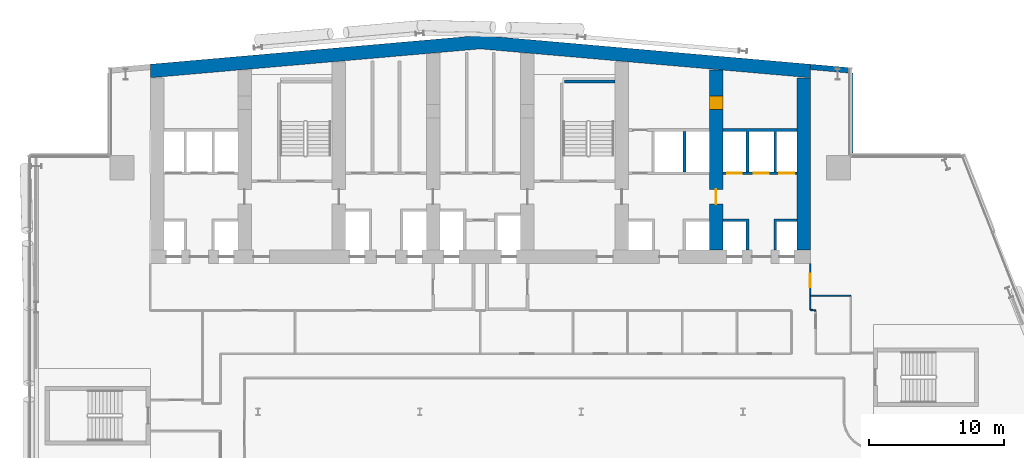
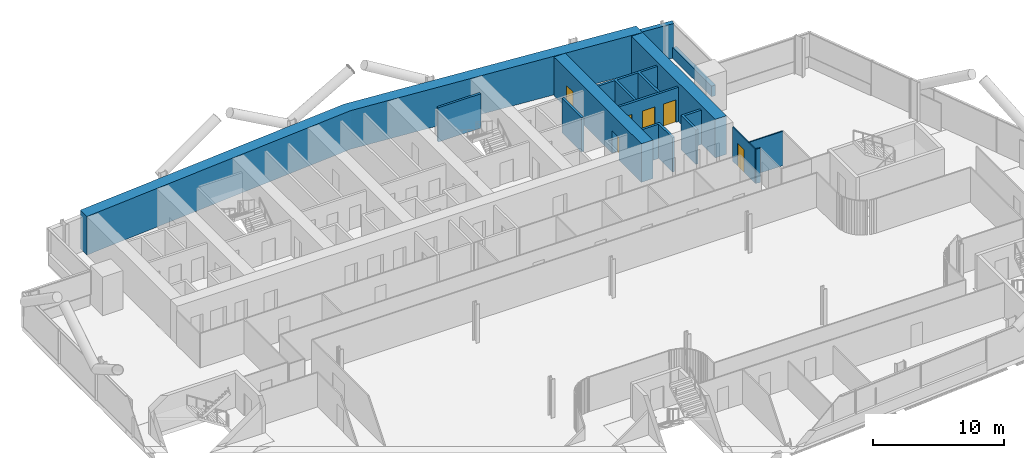
# One storey, part 22 of 30: 14 walls, 6 doors, 6 openings.
"""IFC4 building model written with IfcOpenShell, lengths in metres."""

from ifc_helpers import new_model, si_unit, direction, frame, frame_2d, origin, place, context, subcontext, project, spatial, polyline, rectangle, outline, extrude, material, layer, layer_set, type_object, element, fill, save


model = new_model("IFC4")

# Units and contexts
model_context = context("Model", 3, precision=1e-05, world=origin(), true_north=direction((0.0, 1.0)))
body_context = subcontext(model_context, "Body", "Model", "MODEL_VIEW")
ifc_project = project(units=[si_unit("LENGTHUNIT", "METRE"), si_unit("AREAUNIT", "SQUARE_METRE"), si_unit("VOLUMEUNIT", "CUBIC_METRE"), si_unit("PLANEANGLEUNIT", "RADIAN"), si_unit("MASSUNIT", "GRAM", prefix="KILO")], contexts=[model_context])

# Site, building, storey
site_placement = place(None, origin())
site = spatial("IfcSite", under=ifc_project, at=site_placement, CompositionType="ELEMENT")
building_placement = place(site_placement, origin())
building = spatial("IfcBuilding", under=site, at=building_placement, Name="Wharfspan Tower", CompositionType="ELEMENT")
storey_placement = place(building_placement, frame((0.0, 0.0, 107.5)))
storey = spatial("IfcBuildingStorey", under=building, at=storey_placement, Name="L24", CompositionType="ELEMENT", Elevation=107.5)

# Wall, opening, door
ifc_material_1 = material(Name="Gypsum board on steel studs", Category="steel")
ifc_layer_1 = layer(ifc_material_1, 0.100098)
ifc_layer_set_1 = layer_set([ifc_layer_1], Name="Gypsum board on steel studs")
wall_type_1 = type_object("IfcWallType", Name="Compartment wall 100 EI 60", PredefinedType="PARTITIONING", material=ifc_layer_set_1)
wall_1_placement = place(storey_placement, frame((65.0, 30.560059, 0.0), z_axis=(0.0, 0.0, 1.0), x_axis=(0.0, 1.0, 0.0)))
wall_1 = element("IfcWall", 1, at=wall_1_placement, inside=storey, type_object=wall_type_1, Name="Partition L24.w076", PredefinedType="PARTITIONING", context=body_context, shape_type="SweptSolid", body=[
    extrude(rectangle(XDim=3.419922, YDim=0.100098, at=frame_2d((1.709961, 0.0))), origin(), (0.0, 0.0, 1.0), 3.199951),
])
opening_1_placement = place(wall_1_placement, frame((1.659912, 0.0, 0.0)))
opening_1 = element("IfcOpeningElement", 2, at=opening_1_placement, cuts=wall_1, Name="Opening B2-22", PredefinedType="OPENING", context=body_context, shape_type="SweptSolid", body=[
    extrude(rectangle(XDim=1.0, YDim=2.100098, at=frame_2d((0.5, 1.050049))), frame((0.0, 0.060059, 0.0), z_axis=(0.0, -1.0, 0.0), x_axis=(1.0, 0.0, 0.0)), (0.0, 0.0, 1.0), 0.120117),
])
ifc_material_2 = material(Name="Fire-rated timber door leaf in steel frame", Category="steel")
door_type_1 = type_object("IfcDoorType", Name="Door 1000 FD30S Right", OperationType="SINGLE_SWING_RIGHT", PredefinedType="DOOR", material=ifc_material_2)
door_1_placement = place(opening_1_placement, origin())
door_1 = element("IfcDoor", 3, at=door_1_placement, inside=storey, type_object=door_type_1, Name="Door B2-22", OperationType="SINGLE_SWING_RIGHT", OverallHeight=2.100098, OverallWidth=1.0, PredefinedType="DOOR", context=body_context, shape_type="SweptSolid", body=[
    extrude(rectangle(XDim=1.0, YDim=2.100098, at=frame_2d((0.5, 1.050049))), frame((0.0, 0.024902, 0.0), z_axis=(0.0, -1.0, 0.0), x_axis=(1.0, 0.0, 0.0)), (0.0, 0.0, 1.0), 0.050049),
])
fill(opening_1, door_1)

# Walls
wall_2_placement = place(storey_placement, frame((65.0, 31.600098, 0.0), z_axis=(0.0, 0.0, 1.0), x_axis=(1.0, 0.0, 0.0)))
element("IfcWall", 4, at=wall_2_placement, inside=storey, type_object=wall_type_1, Name="Partition L24.w077", PredefinedType="PARTITIONING", context=body_context, shape_type="SweptSolid", body=[
    extrude(rectangle(XDim=3.0, YDim=0.100098, at=frame_2d((1.5, 0.0))), origin(), (0.0, 0.0, 1.0), 3.199951),
])
wall_3_placement = place(storey_placement, frame((65.39502, 30.5, 0.0), z_axis=(0.0, 0.0, 1.0), x_axis=(-0.988637, 0.150312, 0.0)))
element("IfcWall", 5, at=wall_3_placement, inside=storey, type_object=wall_type_1, Name="Partition L24.w078", PredefinedType="PARTITIONING", context=body_context, shape_type="SweptSolid", body=[
    extrude(rectangle(XDim=0.399658, YDim=0.100098, at=frame_2d((0.199707, 0.0))), origin(), (0.0, 0.0, 1.0), 3.199951),
])
ifc_material_3 = material(Name="Concrete C70/85", Category="concrete")
ifc_layer_2 = layer(ifc_material_3, 1.0)
ifc_layer_set_2 = layer_set([ifc_layer_2], Name="Concrete C70/85")
wall_type_2 = type_object("IfcWallType", Name="Core wall 1000 C70/85", PredefinedType="SHEAR", material=ifc_layer_set_2)
wall_4_placement = place(storey_placement, origin())
element("IfcWall", 6, at=wall_4_placement, inside=storey, type_object=wall_type_2, Name="Core rear wall L24", PredefinedType="SHEAR", context=body_context, shape_type="SweptSolid", body=[
    extrude(outline(polyline([(16.0, 47.783691), (40.5, 49.927002), (65.0, 47.783691), (65.0, 48.787354), (40.5, 50.930908), (16.0, 48.787354), (16.0, 47.783691)])), origin(), (0.0, 0.0, 1.0), 3.600098),
])

# Wall, openings, doors
wall_5_placement = place(storey_placement, frame((58.0, 35.0, 0.0), z_axis=(0.0, 0.0, 1.0), x_axis=(0.0, 1.0, 0.0)))
wall_5 = element("IfcWall", 7, at=wall_5_placement, inside=storey, type_object=wall_type_2, Name="Core cross wall X7 L24", PredefinedType="SHEAR", context=body_context, shape_type="SweptSolid", body=[
    extrude(rectangle(XDim=13.352295, YDim=1.0, at=frame_2d((6.67627, 0.0))), origin(), (0.0, 0.0, 1.0), 3.600098),
])
opening_2_placement = place(wall_5_placement, frame((10.425537, 0.0, 0.0)))
opening_2 = element("IfcOpeningElement", 8, at=opening_2_placement, cuts=wall_5, Name="Opening CD24.7X", PredefinedType="OPENING", context=body_context, shape_type="SweptSolid", body=[
    extrude(rectangle(XDim=1.0, YDim=2.100098, at=frame_2d((0.5, 1.050049))), frame((0.0, 0.51001, 0.0), z_axis=(0.0, -1.0, 0.0), x_axis=(1.0, 0.0, 0.0)), (0.0, 0.0, 1.0), 1.02002),
])
opening_3_placement = place(wall_5_placement, frame((3.399902, 0.0, 0.0)))
opening_3 = element("IfcOpeningElement", 9, at=opening_3_placement, cuts=wall_5, Name="Opening CC24.7", PredefinedType="OPENING", context=body_context, shape_type="SweptSolid", body=[
    extrude(rectangle(XDim=1.100098, YDim=2.100098, at=frame_2d((0.550049, 1.050049))), frame((0.0, 0.51001, 0.0), z_axis=(0.0, -1.0, 0.0), x_axis=(1.0, 0.0, 0.0)), (0.0, 0.0, 1.0), 1.02002),
])
ifc_material_4 = material(Name="Steel door leaf", Category="steel")
door_type_2 = type_object("IfcDoorType", Name="Core corridor door 1100x2100", OperationType="SINGLE_SWING_LEFT", PredefinedType="DOOR", material=ifc_material_4)
door_2_placement = place(opening_3_placement, origin())
door_2 = element("IfcDoor", 10, at=door_2_placement, inside=storey, type_object=door_type_2, Name="xd:L24:7", OperationType="SINGLE_SWING_LEFT", OverallHeight=2.100098, OverallWidth=1.100098, PredefinedType="DOOR", context=body_context, shape_type="SweptSolid", body=[
    extrude(rectangle(XDim=1.100098, YDim=2.100098, at=frame_2d((0.550049, 1.050049))), frame((0.0, 0.024902, 0.0), z_axis=(0.0, -1.0, 0.0), x_axis=(1.0, 0.0, 0.0)), (0.0, 0.0, 1.0), 0.050049),
])
fill(opening_3, door_2)
door_type_3 = type_object("IfcDoorType", Name="Core room door 1000x2100", OperationType="SINGLE_SWING_LEFT", PredefinedType="DOOR", material=ifc_material_4)
door_3_placement = place(opening_2_placement, origin())
door_3 = element("IfcDoor", 11, at=door_3_placement, inside=storey, type_object=door_type_3, Name="d:L24:7:sx", OperationType="SINGLE_SWING_LEFT", OverallHeight=2.100098, OverallWidth=1.0, PredefinedType="DOOR", context=body_context, shape_type="SweptSolid", body=[
    extrude(rectangle(XDim=1.0, YDim=2.100098, at=frame_2d((0.5, 1.050049))), frame((0.0, 0.499756, 0.0), z_axis=(0.0, -1.0, 0.0), x_axis=(1.0, 0.0, 0.0)), (0.0, 0.0, 1.0), 0.999512),
])
fill(opening_2, door_3)

# Walls
wall_6_placement = place(storey_placement, frame((64.5, 35.0, 0.0), z_axis=(0.0, 0.0, 1.0), x_axis=(0.0, 1.0, 0.0)))
element("IfcWall", 12, at=wall_6_placement, inside=storey, type_object=wall_type_2, Name="Core cross wall EW1 L24", PredefinedType="SHEAR", context=body_context, shape_type="SweptSolid", body=[
    extrude(rectangle(XDim=12.783691, YDim=1.0, at=frame_2d((6.391846, 0.0))), origin(), (0.0, 0.0, 1.0), 3.600098),
])
ifc_material_5 = material(Name="Concrete C30/37", Category="concrete")
ifc_layer_3 = layer(ifc_material_5, 0.199951)
ifc_layer_set_3 = layer_set([ifc_layer_3], Name="Concrete C30/37")
wall_type_3 = type_object("IfcWallType", Name="Lift shaft wall 200", PredefinedType="PARTITIONING", material=ifc_layer_set_3)
wall_7_placement = place(storey_placement, frame((0.0, 0.0, -0.000244)))
element("IfcWall", 13, at=wall_7_placement, inside=storey, type_object=wall_type_3, Name="sw:L24:RM6.1", PredefinedType="PARTITIONING", context=body_context, shape_type="SweptSolid", body=[
    extrude(outline(polyline([(55.56665, 40.800049), (55.56665, 43.800049), (55.766602, 43.800049), (55.766602, 40.800049), (55.56665, 40.800049)])), origin(), (0.0, 0.0, 1.0), 3.200195),
])

# Wall, openings, doors
wall_8_placement = place(storey_placement, frame((58.5, 40.699951, 0.0), z_axis=(0.0, 0.0, 1.0), x_axis=(1.0, 0.0, 0.0)))
wall_8 = element("IfcWall", 14, at=wall_8_placement, inside=storey, type_object=wall_type_3, Name="sw:L24:RF7", PredefinedType="PARTITIONING", context=body_context, shape_type="SweptSolid", body=[
    extrude(rectangle(XDim=5.5, YDim=0.199951, at=frame_2d((2.75, 0.0))), origin(), (0.0, 0.0, 1.0), 3.199951),
])
opening_4_placement = place(wall_8_placement, frame((0.31665, 0.0, 0.0)))
opening_4 = element("IfcOpeningElement", 15, at=opening_4_placement, cuts=wall_8, Name="Opening LD.LA8.L24", PredefinedType="OPENING", context=body_context, shape_type="SweptSolid", body=[
    extrude(rectangle(XDim=1.100098, YDim=2.100098, at=frame_2d((0.550049, 1.050049))), frame((0.0, 0.109863, 0.0), z_axis=(0.0, -1.0, 0.0), x_axis=(1.0, 0.0, 0.0)), (0.0, 0.0, 1.0), 0.219971),
])
opening_5_placement = place(wall_8_placement, frame((2.31665, 0.0, 0.0)))
opening_5 = element("IfcOpeningElement", 16, at=opening_5_placement, cuts=wall_8, Name="Opening LD.LA9.L24", PredefinedType="OPENING", context=body_context, shape_type="SweptSolid", body=[
    extrude(rectangle(XDim=1.100098, YDim=2.100098, at=frame_2d((0.550049, 1.050049))), frame((0.0, 0.109863, 0.0), z_axis=(0.0, -1.0, 0.0), x_axis=(1.0, 0.0, 0.0)), (0.0, 0.0, 1.0), 0.219971),
])
opening_6_placement = place(wall_8_placement, frame((4.199951, 0.0, 0.0)))
opening_6 = element("IfcOpeningElement", 17, at=opening_6_placement, cuts=wall_8, Name="Opening LD.LA10.L24", PredefinedType="OPENING", context=body_context, shape_type="SweptSolid", body=[
    extrude(rectangle(XDim=1.100098, YDim=2.100098, at=frame_2d((0.550049, 1.050049))), frame((0.0, 0.109863, 0.0), z_axis=(0.0, -1.0, 0.0), x_axis=(1.0, 0.0, 0.0)), (0.0, 0.0, 1.0), 0.219971),
])
ifc_material_6 = material(Name="Stainless steel", Category="steel")
door_type_4 = type_object("IfcDoorType", Name="Lift landing door 1100x2100", OperationType="DOUBLE_DOOR_SLIDING", PredefinedType="DOOR", material=ifc_material_6)
door_4_placement = place(opening_4_placement, origin())
door_4 = element("IfcDoor", 18, at=door_4_placement, inside=storey, type_object=door_type_4, Name="Landing door LA8 L24", OperationType="DOUBLE_DOOR_SLIDING", OverallHeight=2.100098, OverallWidth=1.100098, PredefinedType="DOOR", context=body_context, shape_type="SweptSolid", body=[
    extrude(rectangle(XDim=1.100098, YDim=2.100098, at=frame_2d((0.550049, 1.050049))), frame((0.0, 0.024902, 0.0), z_axis=(0.0, -1.0, 0.0), x_axis=(1.0, 0.0, 0.0)), (0.0, 0.0, 1.0), 0.050049),
])
fill(opening_4, door_4)
door_5_placement = place(opening_5_placement, origin())
door_5 = element("IfcDoor", 19, at=door_5_placement, inside=storey, type_object=door_type_4, Name="Landing door LA9 L24", OperationType="DOUBLE_DOOR_SLIDING", OverallHeight=2.100098, OverallWidth=1.100098, PredefinedType="DOOR", context=body_context, shape_type="SweptSolid", body=[
    extrude(rectangle(XDim=1.100098, YDim=2.100098, at=frame_2d((0.550049, 1.050049))), frame((0.0, 0.024902, 0.0), z_axis=(0.0, -1.0, 0.0), x_axis=(1.0, 0.0, 0.0)), (0.0, 0.0, 1.0), 0.050049),
])
fill(opening_5, door_5)
door_6_placement = place(opening_6_placement, origin())
door_6 = element("IfcDoor", 20, at=door_6_placement, inside=storey, type_object=door_type_4, Name="Landing door LA10 L24", OperationType="DOUBLE_DOOR_SLIDING", OverallHeight=2.100098, OverallWidth=1.100098, PredefinedType="DOOR", context=body_context, shape_type="SweptSolid", body=[
    extrude(rectangle(XDim=1.100098, YDim=2.100098, at=frame_2d((0.550049, 1.050049))), frame((0.0, 0.024902, 0.0), z_axis=(0.0, -1.0, 0.0), x_axis=(1.0, 0.0, 0.0)), (0.0, 0.0, 1.0), 0.050049),
])
fill(opening_6, door_6)

# Walls
wall_9_placement = place(storey_placement, frame((0.0, 0.0, -0.000244)))
element("IfcWall", 21, at=wall_9_placement, inside=storey, type_object=wall_type_3, Name="sw:L24:FM7.0", PredefinedType="PARTITIONING", context=body_context, shape_type="SweptSolid", body=[
    extrude(outline(polyline([(60.233398, 37.100098), (58.5, 37.100098), (58.5, 37.300049), (60.233398, 37.300049), (60.43335, 37.300049), (60.43335, 35.0), (60.233398, 35.0), (60.233398, 37.100098)])), origin(), (0.0, 0.0, 1.0), 3.200195),
])
wall_10_placement = place(storey_placement, frame((0.0, 0.0, -0.000244)))
element("IfcWall", 22, at=wall_10_placement, inside=storey, type_object=wall_type_3, Name="sw:L24:FM7.1", PredefinedType="PARTITIONING", context=body_context, shape_type="SweptSolid", body=[
    extrude(outline(polyline([(62.300049, 37.300049), (62.5, 37.300049), (64.0, 37.300049), (64.0, 37.100098), (62.5, 37.100098), (62.5, 35.0), (62.300049, 35.0), (62.300049, 37.300049)])), origin(), (0.0, 0.0, 1.0), 3.200195),
])
wall_11_placement = place(storey_placement, frame((0.0, 0.0, -0.000244)))
element("IfcWall", 23, at=wall_11_placement, inside=storey, type_object=wall_type_3, Name="sw:L24:RM7.0", PredefinedType="PARTITIONING", context=body_context, shape_type="SweptSolid", body=[
    extrude(outline(polyline([(60.43335, 40.800049), (60.233398, 40.800049), (60.233398, 43.800049), (58.5, 43.800049), (58.5, 44.0), (64.0, 44.0), (64.0, 43.800049), (62.5, 43.800049), (62.5, 40.800049), (62.300049, 40.800049), (62.300049, 43.800049), (60.43335, 43.800049), (60.43335, 40.800049)])), origin(), (0.0, 0.0, 1.0), 3.200195),
])
ifc_material_7 = material(Name="Concrete C40/50", Category="concrete")
ifc_layer_4 = layer(ifc_material_7, 0.350098)
ifc_layer_set_4 = layer_set([ifc_layer_4], Name="Concrete C40/50")
wall_type_4 = type_object("IfcWallType", Name="SPANDREL EXPOSED CONCRETE 350", PredefinedType="SOLIDWALL", material=ifc_layer_set_4)
wall_12_placement = place(storey_placement, frame((68.004883, 42.179932, 0.0), z_axis=(0.0, 0.0, 1.0), x_axis=(0.0, 1.0, 0.0)))
element("IfcWall", 24, at=wall_12_placement, inside=storey, type_object=wall_type_4, Name="Spandrel upstand L24 NRE-V", PredefinedType="SOLIDWALL", context=body_context, shape_type="SweptSolid", body=[
    extrude(rectangle(XDim=5.946533, YDim=0.350098, at=frame_2d((2.973145, 0.0))), origin(), (0.0, 0.0, 1.0), 1.0),
])
ifc_layer_5 = layer(ifc_material_7, 0.199951)
ifc_layer_set_5 = layer_set([ifc_layer_5], Name="Concrete C40/50")
wall_type_5 = type_object("IfcWallType", Name="Stair shaft wall 200", PredefinedType="SHEAR", material=ifc_layer_set_5)
wall_13_placement = place(storey_placement, frame((46.75, 47.5, 0.0), z_axis=(0.0, 0.0, 1.0), x_axis=(1.0, 0.0, 0.0)))
element("IfcWall", 25, at=wall_13_placement, inside=storey, type_object=wall_type_5, Name="ST2 stair enclosure wall L24", PredefinedType="SHEAR", context=body_context, shape_type="SweptSolid", body=[
    extrude(rectangle(XDim=3.75, YDim=0.199951, at=frame_2d((1.875, 0.0))), origin(), (0.0, 0.0, 1.0), 3.199951),
])
ifc_layer_6 = layer(ifc_material_7, 0.399902)
ifc_layer_set_6 = layer_set([ifc_layer_6], Name="Concrete C40/50")
wall_type_6 = type_object("IfcWallType", Name="WALL EXPOSED CONCRETE 400", PredefinedType="SOLIDWALL", material=ifc_layer_set_6)
wall_14_placement = place(storey_placement, frame((67.982666, 48.325684, 0.0), z_axis=(0.0, 0.0, 1.0), x_axis=(-0.996194, 0.087168, 0.0)))
element("IfcWall", 26, at=wall_14_placement, inside=storey, type_object=wall_type_6, Name="Rear wall N2", PredefinedType="SOLIDWALL", context=body_context, shape_type="SweptSolid", body=[
    extrude(rectangle(XDim=2.994141, YDim=0.399902, at=frame_2d((1.49707, 0.0))), origin(), (0.0, 0.0, 1.0), 3.199951),
])

save(model, "model.ifc")
